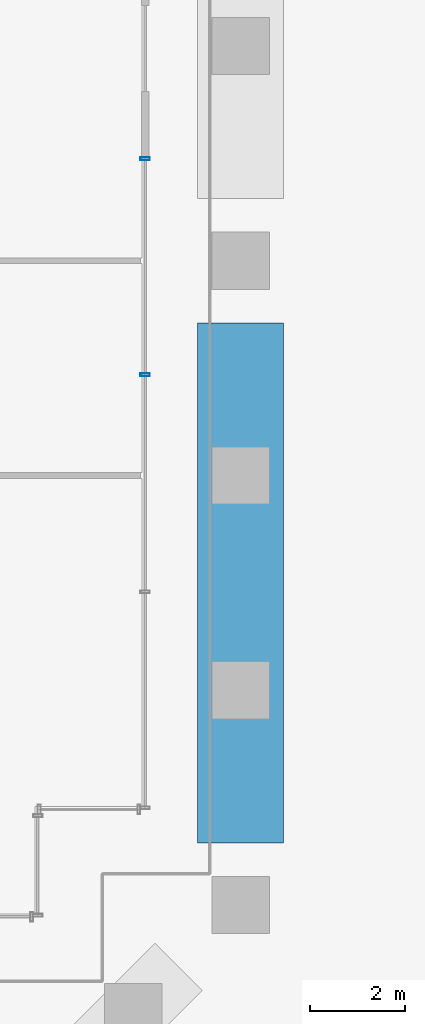
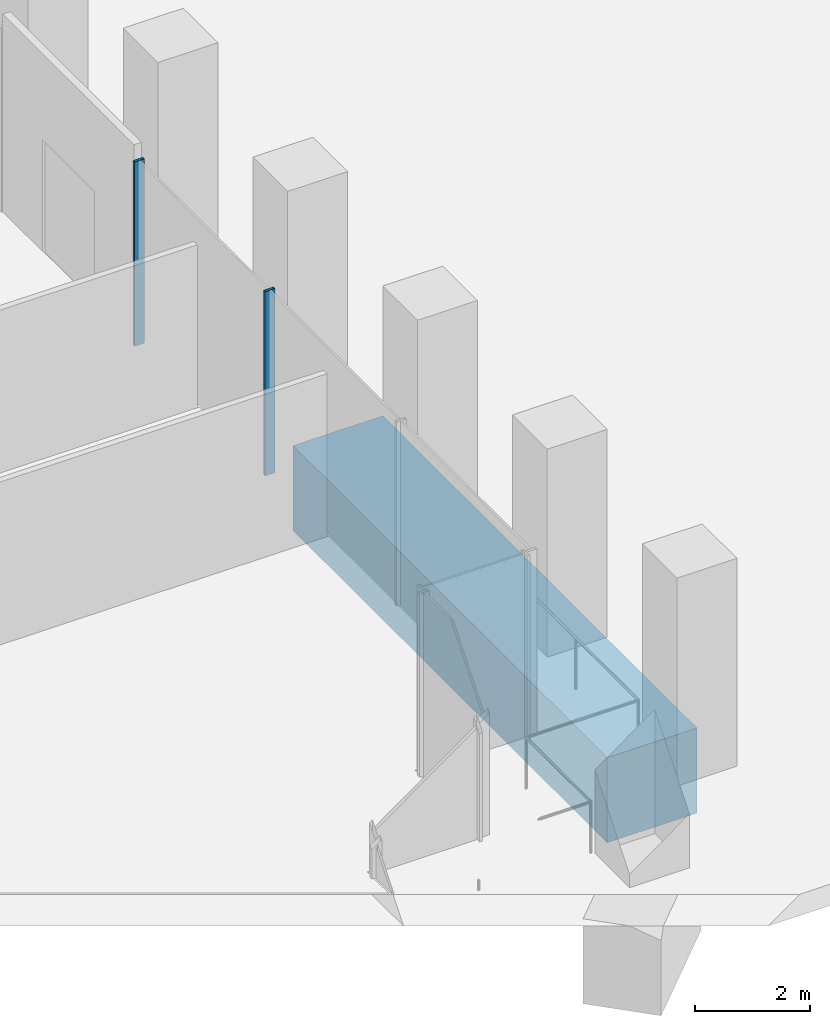
# One storey, part 7 of 32: 2 members, 1 beam, 1 element without a shape of its own.
"""IFC4 building model written with IfcOpenShell, lengths in metres."""

from ifc_helpers import new_model, si_unit, direction, frame, origin, origin_2d, place, context, subcontext, project, spatial, rectangle, hollow_rectangle, extrude, material, material_profile, profile_set, type_object, element, aggregate, save


model = new_model("IFC4")

# Units and contexts
model_context = context("Model", 3, precision=1e-05, world=origin(), true_north=direction((0.0, 1.0)))
body_context = subcontext(model_context, "Body", "Model", "MODEL_VIEW")
ifc_project = project(units=[si_unit("LENGTHUNIT", "METRE"), si_unit("AREAUNIT", "SQUARE_METRE"), si_unit("VOLUMEUNIT", "CUBIC_METRE"), si_unit("PLANEANGLEUNIT", "RADIAN"), si_unit("MASSUNIT", "GRAM", prefix="KILO")], contexts=[model_context])

# Site, building, storey
site_placement = place(None, origin())
site = spatial("IfcSite", under=ifc_project, at=site_placement, CompositionType="ELEMENT")
building_placement = place(site_placement, origin())
building = spatial("IfcBuilding", under=site, at=building_placement, Name="Altepetl Exchange Towers", CompositionType="ELEMENT")
storey_placement = place(building_placement, frame((0.0, 0.0, 21.0)))
storey = spatial("IfcBuildingStorey", under=building, at=storey_placement, Name="L04", CompositionType="ELEMENT", Elevation=21.0)

# Curtain wall, members
ifc_material_1 = material(Name="Aluminium 6063-T6 glazing", Category="aluminium")
curtain_wall_type = type_object("IfcCurtainWallType", Name="Trading floor glazing system", PredefinedType="NOTDEFINED", material=ifc_material_1)
curtain_wall_placement = place(storey_placement, origin())
curtain_wall = element("IfcCurtainWall", 1, at=curtain_wall_placement, inside=storey, type_object=curtain_wall_type, Name="CW2 run", PredefinedType="NOTDEFINED")
ifc_material_2 = material(Name="Aluminium 6063-T6", Category="aluminium")
ifc_material_profile_1 = material_profile(ifc_material_2, hollow_rectangle(XDim=0.06005859375, YDim=0.199951171875, WallThickness=0.0029296875, at=origin_2d()), Name="Mullion 60x200 aluminium")
ifc_profile_set_1 = profile_set([ifc_material_profile_1], Name="Aluminium 6063-T6")
member_type = type_object("IfcMemberType", Name="Mullion 60x200 aluminium", PredefinedType="MULLION", material=ifc_profile_set_1)
member_1_placement = place(storey_placement, frame((70.0, 42.6142578125, 0.0), z_axis=(0.0, 0.0, 1.0), x_axis=(0.0, 1.0, 0.0)))
member_1 = element("IfcMember", 2, at=member_1_placement, type_object=member_type, Name="MU2 mullion", PredefinedType="MULLION", context=body_context, shape_type="SweptSolid", body=[
    extrude(hollow_rectangle(XDim=0.06005859375, YDim=0.199951171875, WallThickness=0.0029296875, at=origin_2d()), origin(), (0.0, 0.0, 1.0), 3.89990234375),
])
member_2_placement = place(storey_placement, frame((70.0, 47.141357421875, 0.0), z_axis=(0.0, 0.0, 1.0), x_axis=(0.0, 1.0, 0.0)))
member_2 = element("IfcMember", 3, at=member_2_placement, type_object=member_type, Name="MU2 mullion", PredefinedType="MULLION", context=body_context, shape_type="SweptSolid", body=[
    extrude(hollow_rectangle(XDim=0.06005859375, YDim=0.199951171875, WallThickness=0.0029296875, at=origin_2d()), origin(), (0.0, 0.0, 1.0), 3.89990234375),
])
aggregate(curtain_wall, [member_1, member_2])

# Beam
ifc_material_3 = material(Name="Concrete C60/75", Category="concrete")
ifc_material_profile_2 = material_profile(ifc_material_3, rectangle(XDim=1.800048828125, YDim=1.800048828125, at=origin_2d()), Name="1800 x 1800")
ifc_profile_set_2 = profile_set([ifc_material_profile_2], Name="Concrete C60/75")
beam_type = type_object("IfcBeamType", Name="Transfer girder 1800x1800", PredefinedType="BEAM", material=ifc_profile_set_2)
beam_placement = place(storey_placement, frame((72.0, 32.800048828125, -1.35009765625), z_axis=(0.0, 1.0, 0.0), x_axis=(-1.0, 0.0, 0.0)))
element("IfcBeam", 4, at=beam_placement, inside=storey, type_object=beam_type, Name="bm:A:L04:tg03", PredefinedType="BEAM", context=body_context, shape_type="SweptSolid", body=[
    extrude(rectangle(XDim=1.800048828125, YDim=1.800048828125, at=origin_2d()), origin(), (0.0, 0.0, 1.0), 10.89990234375),
])

save(model, "model.ifc")
